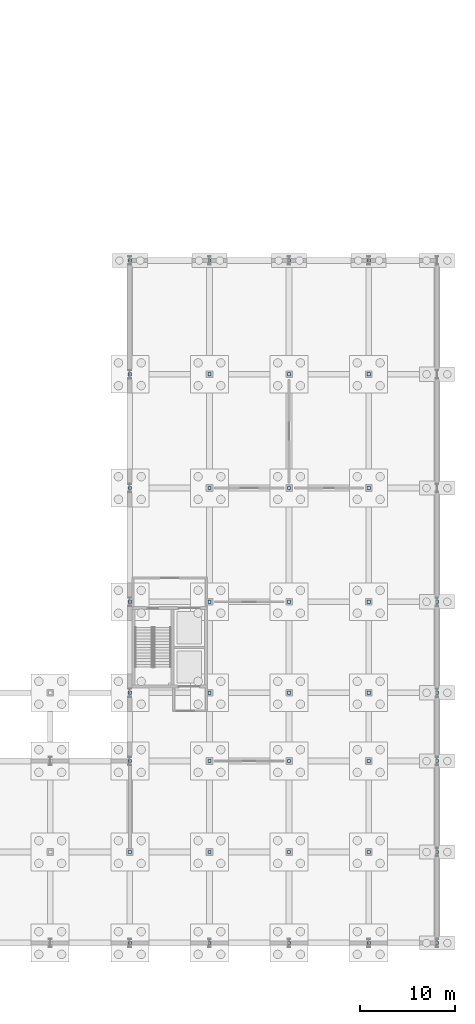
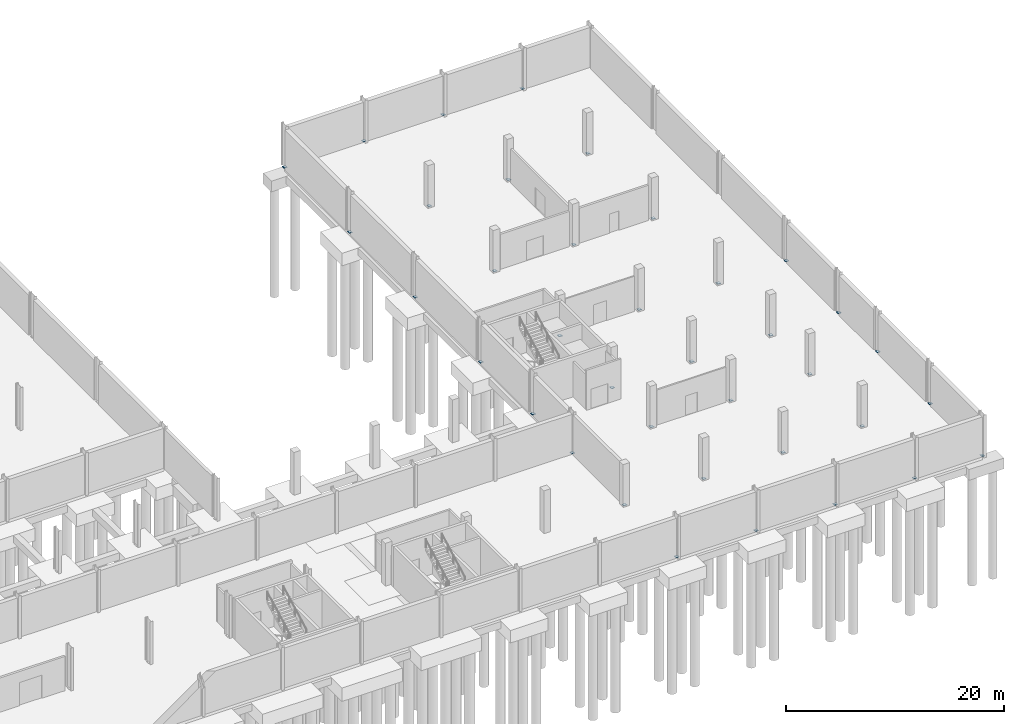
# One storey, part 19 of 29: 37 plates.
"""IFC4 building model written with IfcOpenShell, lengths in metres."""

from ifc_helpers import new_model, si_unit, direction, frame, origin, origin_2d, place, context, subcontext, project, spatial, rectangle, extrude, material, layer, layer_set, type_object, element, save


model = new_model("IFC4")

# Units and contexts
model_context = context("Model", 3, precision=1e-05, world=origin(), true_north=direction((0.0, 1.0)))
body_context = subcontext(model_context, "Body", "Model", "MODEL_VIEW")
ifc_project = project(units=[si_unit("LENGTHUNIT", "METRE"), si_unit("AREAUNIT", "SQUARE_METRE"), si_unit("VOLUMEUNIT", "CUBIC_METRE"), si_unit("PLANEANGLEUNIT", "RADIAN"), si_unit("MASSUNIT", "GRAM", prefix="KILO")], contexts=[model_context])

# Site, building, storey
site_placement = place(None, origin())
site = spatial("IfcSite", under=ifc_project, at=site_placement, CompositionType="ELEMENT")
building_placement = place(site_placement, origin())
building = spatial("IfcBuilding", under=site, at=building_placement, Name="Veltarok Museum of Natural Sciences", CompositionType="ELEMENT")
storey_placement = place(building_placement, frame((0.0, 0.0, -4.800048828125)))
storey = spatial("IfcBuildingStorey", under=building, at=storey_placement, Name="B1", CompositionType="ELEMENT", Elevation=-4.800048828125)

# Plates
ifc_material = material(Name="Steel S355J2", Category="steel")
ifc_layer = layer(ifc_material, 0.02001953125)
ifc_layer_set = layer_set([ifc_layer], Name="Steel S355J2")
plate_type = type_object("IfcPlateType", Name="Hollow End Closure Plate D340x20", PredefinedType="USERDEFINED", material=ifc_layer_set)
for number, where, z_axis, x_axis, name in (
    (1, (132.39990234375, 0.0, 0.0), (0.0, 0.0, 1.0), (1.0, 0.0, 0.0), "Column Base Plate B1 16/A"),
    (2, (132.39990234375, 9.60009765625, 0.0), (0.0, 0.0, 1.0), (1.0, 0.0, 0.0), "Column Base Plate B1 16/B"),
    (3, (132.39990234375, 19.199951171875, 0.0), (0.0, 0.0, 1.0), (1.0, 0.0, 0.0), "Column Base Plate B1 16/C"),
    (4, (132.39990234375, 26.39990234375, 0.0), (0.0, 0.0, 1.0), (1.0, 0.0, 0.0), "Column Base Plate B1 16/D"),
    (5, (132.39990234375, 36.0, 0.0), (0.0, 0.0, 1.0), (1.0, 0.0, 0.0), "Column Base Plate B1 16/E"),
    (6, (132.39990234375, 48.0, 0.0), (0.0, 0.0, 1.0), (1.0, 0.0, 0.0), "Column Base Plate B1 16/F"),
    (7, (132.39990234375, 60.0, 0.0), (0.0, 0.0, 1.0), (1.0, 0.0, 0.0), "Column Base Plate B1 16/G"),
    (8, (132.39990234375, 72.0, 0.0), (0.0, 0.0, 1.0), (1.0, 0.0, 0.0), "Column Base Plate B1 16/H"),
    (9, (140.800048828125, 0.0, 0.0), (0.0, 0.0, 1.0), (1.0, 0.0, 0.0), "Column Base Plate B1 17/A"),
    (10, (140.800048828125, 9.60009765625, 0.0), (0.0, 0.0, 1.0), (1.0, 0.0, 0.0), "Column Base Plate B1 17/B"),
    (11, (140.800048828125, 19.199951171875, 0.0), (0.0, 0.0, 1.0), (1.0, 0.0, 0.0), "Column Base Plate B1 17/C"),
    (12, (140.800048828125, 26.39990234375, 0.0), (0.0, 0.0, 1.0), (1.0, 0.0, 0.0), "Column Base Plate B1 17/D"),
    (13, (140.800048828125, 36.0, 0.0), (0.0, 0.0, 1.0), (1.0, 0.0, 0.0), "Column Base Plate B1 17/E"),
    (14, (140.800048828125, 48.0, 0.0), (0.0, 0.0, 1.0), (1.0, 0.0, 0.0), "Column Base Plate B1 17/F"),
    (15, (140.800048828125, 60.0, 0.0), (0.0, 0.0, 1.0), (1.0, 0.0, 0.0), "Column Base Plate B1 17/G"),
    (16, (140.800048828125, 72.0, 0.0), (0.0, 0.0, 1.0), (1.0, 0.0, 0.0), "Column Base Plate B1 17/H"),
    (17, (149.199951171875, 0.0, 0.0), (0.0, 0.0, 1.0), (1.0, 0.0, 0.0), "Column Base Plate B1 18/A"),
    (18, (149.199951171875, 9.60009765625, 0.0), (0.0, 0.0, 1.0), (1.0, 0.0, 0.0), "Column Base Plate B1 18/B"),
    (19, (149.199951171875, 19.199951171875, 0.0), (0.0, 0.0, 1.0), (1.0, 0.0, 0.0), "Column Base Plate B1 18/C"),
    (20, (149.199951171875, 26.39990234375, 0.0), (0.0, 0.0, 1.0), (1.0, 0.0, 0.0), "Column Base Plate B1 18/D"),
    (21, (149.199951171875, 36.0, 0.0), (0.0, 0.0, 1.0), (1.0, 0.0, 0.0), "Column Base Plate B1 18/E"),
    (22, (149.199951171875, 48.0, 0.0), (0.0, 0.0, 1.0), (1.0, 0.0, 0.0), "Column Base Plate B1 18/F"),
    (23, (149.199951171875, 60.0, 0.0), (0.0, 0.0, 1.0), (1.0, 0.0, 0.0), "Column Base Plate B1 18/G"),
    (24, (149.199951171875, 72.0, 0.0), (0.0, 0.0, 1.0), (1.0, 0.0, 0.0), "Column Base Plate B1 18/H"),
    (25, (157.60009765625, 0.0, 0.0), (0.0, 0.0, 1.0), (1.0, 0.0, 0.0), "Column Base Plate B1 19/A"),
    (26, (157.60009765625, 9.60009765625, 0.0), (0.0, 0.0, 1.0), (1.0, 0.0, 0.0), "Column Base Plate B1 19/B"),
    (27, (157.60009765625, 19.199951171875, 0.0), (0.0, 0.0, 1.0), (1.0, 0.0, 0.0), "Column Base Plate B1 19/C"),
    (28, (157.60009765625, 26.39990234375, 0.0), (0.0, 0.0, 1.0), (1.0, 0.0, 0.0), "Column Base Plate B1 19/D"),
    (29, (157.60009765625, 36.0, 0.0), (0.0, 0.0, 1.0), (1.0, 0.0, 0.0), "Column Base Plate B1 19/E"),
    (30, (157.60009765625, 48.0, 0.0), (0.0, 0.0, 1.0), (1.0, 0.0, 0.0), "Column Base Plate B1 19/F"),
    (31, (157.60009765625, 60.0, 0.0), (0.0, 0.0, 1.0), (1.0, 0.0, 0.0), "Column Base Plate B1 19/G"),
    (32, (157.60009765625, 72.0, 0.0), (0.0, 0.0, 1.0), (1.0, 0.0, 0.0), "Column Base Plate B1 19/H"),
    (33, (164.800048828125, 0.0, 0.0), (0.0, 0.0, 1.0), (1.0, 0.0, 0.0), "Column Base Plate B1 20/A"),
    (34, (164.800048828125, 9.60009765625, 0.0), (0.0, 0.0, 1.0), (1.0, 0.0, 0.0), "Column Base Plate B1 20/B"),
    (35, (164.800048828125, 19.199951171875, 0.0), (0.0, 0.0, 1.0), (1.0, 0.0, 0.0), "Column Base Plate B1 20/C"),
    (36, (164.800048828125, 26.39990234375, 0.0), (0.0, 0.0, 1.0), (1.0, 0.0, 0.0), "Column Base Plate B1 20/D"),
    (37, (164.800048828125, 36.0, 0.0), (0.0, 0.0, 1.0), (1.0, 0.0, 0.0), "Column Base Plate B1 20/E"),
):
    element("IfcPlate", number, at=place(storey_placement, frame(where, z_axis=z_axis, x_axis=x_axis)), inside=storey, type_object=plate_type, Name=name, ObjectType="END CAP PLATE", PredefinedType="USERDEFINED", context=body_context, shape_type="SweptSolid", body=[
        extrude(rectangle(XDim=0.340087890625, YDim=0.340087890625, at=origin_2d()), origin(), (0.0, 0.0, 1.0), 0.02001953125),
    ])

save(model, "model.ifc")
